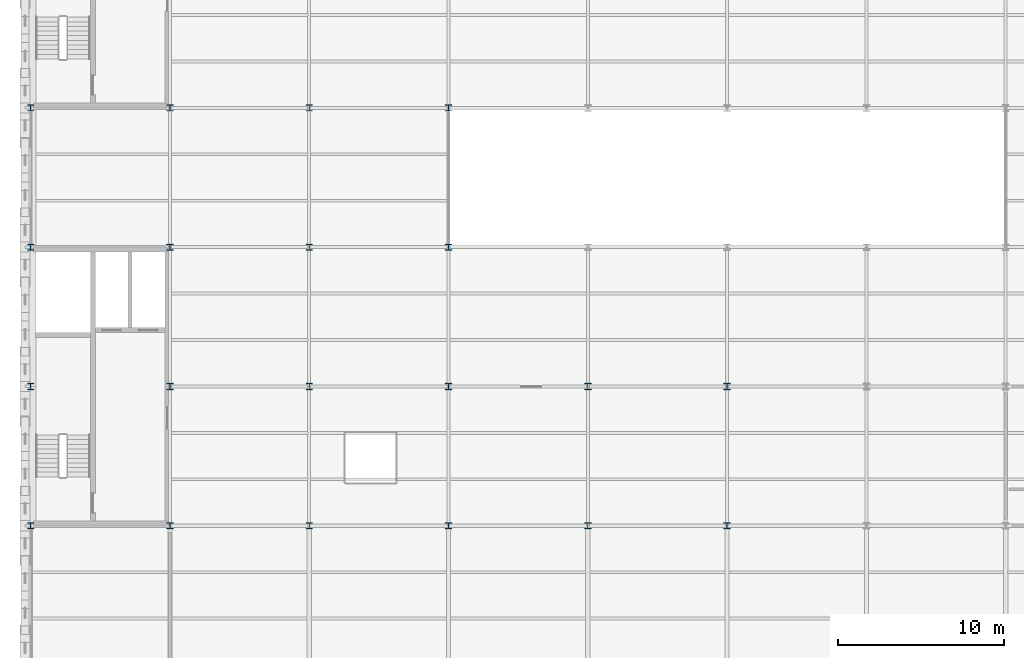
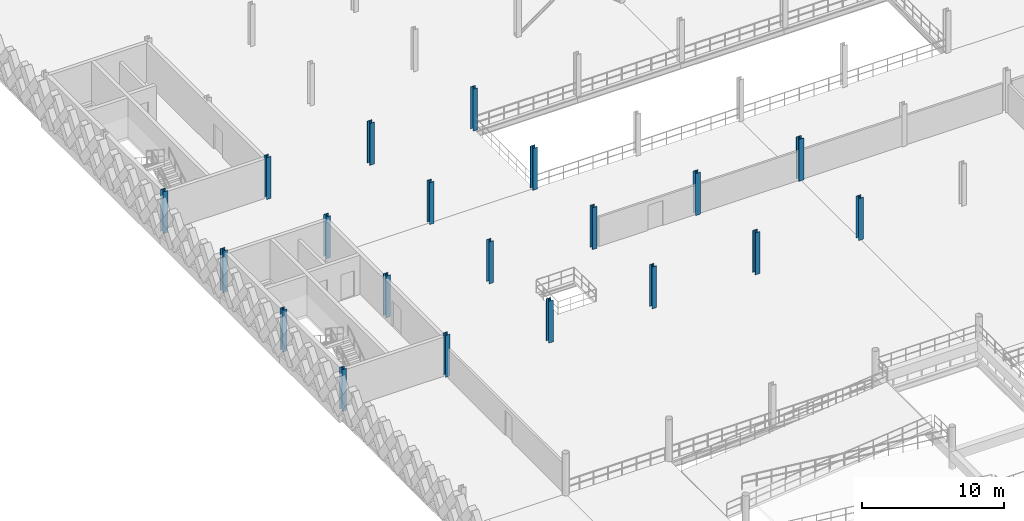
# One storey, part 3 of 101: 20 columns.
"""IFC4 building model written with IfcOpenShell, lengths in metres."""

from ifc_helpers import new_model, si_unit, direction, frame, origin, origin_2d, place, context, subcontext, project, spatial, i_section, extrude, material, material_profile, profile_set, type_object, element, save


model = new_model("IFC4")

# Units and contexts
model_context = context("Model", 3, precision=1e-05, world=origin(), true_north=direction((0.0, 1.0)))
body_context = subcontext(model_context, "Body", "Model", "MODEL_VIEW")
ifc_project = project(units=[si_unit("LENGTHUNIT", "METRE"), si_unit("AREAUNIT", "SQUARE_METRE"), si_unit("VOLUMEUNIT", "CUBIC_METRE"), si_unit("PLANEANGLEUNIT", "RADIAN"), si_unit("MASSUNIT", "GRAM", prefix="KILO"), si_unit("THERMODYNAMICTEMPERATUREUNIT", "KELVIN"), si_unit("POWERUNIT", "WATT")], contexts=[model_context])

# Site, building, storey
site_placement = place(None, origin())
site = spatial("IfcSite", under=ifc_project, at=site_placement, CompositionType="ELEMENT")
building_placement = place(site_placement, origin())
building = spatial("IfcBuilding", under=site, at=building_placement, Name="Tembeka Court Mobility Hub", CompositionType="ELEMENT")
storey_placement = place(building_placement, frame((0.0, 0.0, 5.39990234375)))
storey = spatial("IfcBuildingStorey", under=building, at=storey_placement, Name="L01", CompositionType="ELEMENT", Elevation=5.39990234375)

# Columns
ifc_material = material(Name="Steel S355", Category="steel")
ifc_material_profile_1 = material_profile(ifc_material, i_section(OverallWidth=0.39501953125, OverallDepth=0.381103515625, WebThickness=0.018310546875, FlangeThickness=0.0302734375, FilletRadius=0.01513671875, at=origin_2d()), Name="UKC 356x406x235")
ifc_profile_set_1 = profile_set([ifc_material_profile_1], Name="Steel S355")
column_type_1 = type_object("IfcColumnType", Name="COL-C02", PredefinedType="COLUMN", material=ifc_profile_set_1)
for number, where, z_axis, x_axis, name in (
    (1, (33.60009765625, 38.39990234375, 0.0), (0.0, 0.0, 1.0), (1.0, 0.0, 0.0), "Column C02 (L01-050)"),
    (2, (33.60009765625, 46.800048828125, 0.0), (0.0, 0.0, 1.0), (1.0, 0.0, 0.0), "Column C02 (L01-051)"),
    (3, (42.0, 38.39990234375, 0.0), (0.0, 0.0, 1.0), (1.0, 0.0, 0.0), "Column C02 (L01-062)"),
    (4, (42.0, 46.800048828125, 0.0), (0.0, 0.0, 1.0), (1.0, 0.0, 0.0), "Column C02 (L01-063)"),
):
    element("IfcColumn", number, at=place(storey_placement, frame(where, z_axis=z_axis, x_axis=x_axis)), inside=storey, type_object=column_type_1, Name=name, PredefinedType="COLUMN", context=body_context, shape_type="SweptSolid", body=[
        extrude(i_section(OverallWidth=0.39501953125, OverallDepth=0.381103515625, WebThickness=0.018310546875, FlangeThickness=0.0302734375, FilletRadius=0.01513671875, at=origin_2d()), origin(), (0.0, 0.0, 1.0), 3.60009765625),
    ])
ifc_material_profile_2 = material_profile(ifc_material, i_section(OverallWidth=0.373046875, OverallDepth=0.367919921875, WebThickness=0.014404296875, FlangeThickness=0.023681640625, FilletRadius=0.01513671875, at=origin_2d()), Name="UKC 356x368x177")
ifc_profile_set_2 = profile_set([ifc_material_profile_2], Name="Steel S355")
column_type_2 = type_object("IfcColumnType", Name="COL-C03", PredefinedType="COLUMN", material=ifc_profile_set_2)
for number, where, z_axis, x_axis, name in (
    (5, (0.0, 38.39990234375, 0.0), (0.0, 0.0, 1.0), (1.0, 0.0, 0.0), "Column C03 (L01-004)"),
    (6, (0.0, 46.800048828125, 0.0), (0.0, 0.0, 1.0), (1.0, 0.0, 0.0), "Column C03 (L01-005)"),
    (7, (0.0, 55.199951171875, 0.0), (0.0, 0.0, 1.0), (1.0, 0.0, 0.0), "Column C03 (L01-006)"),
    (8, (0.0, 63.60009765625, 0.0), (0.0, 0.0, 1.0), (1.0, 0.0, 0.0), "Column C03 (L01-007)"),
    (9, (8.39990234375, 38.39990234375, 0.0), (0.0, 0.0, 1.0), (1.0, 0.0, 0.0), "Column C03 (L01-016)"),
    (10, (8.39990234375, 46.800048828125, 0.0), (0.0, 0.0, 1.0), (1.0, 0.0, 0.0), "Column C03 (L01-017)"),
    (11, (8.39990234375, 55.199951171875, 0.0), (0.0, 0.0, 1.0), (1.0, 0.0, 0.0), "Column C03 (L01-018)"),
    (12, (8.39990234375, 63.60009765625, 0.0), (0.0, 0.0, 1.0), (1.0, 0.0, 0.0), "Column C03 (L01-019)"),
    (13, (16.800048828125, 38.39990234375, 0.0), (0.0, 0.0, 1.0), (1.0, 0.0, 0.0), "Column C03 (L01-028)"),
    (14, (16.800048828125, 46.800048828125, 0.0), (0.0, 0.0, 1.0), (1.0, 0.0, 0.0), "Column C03 (L01-029)"),
    (15, (16.800048828125, 55.199951171875, 0.0), (0.0, 0.0, 1.0), (1.0, 0.0, 0.0), "Column C03 (L01-030)"),
    (16, (16.800048828125, 63.60009765625, 0.0), (0.0, 0.0, 1.0), (1.0, 0.0, 0.0), "Column C03 (L01-031)"),
    (17, (25.199951171875, 38.39990234375, 0.0), (0.0, 0.0, 1.0), (1.0, 0.0, 0.0), "Column C03 (L01-039)"),
    (18, (25.199951171875, 46.800048828125, 0.0), (0.0, 0.0, 1.0), (1.0, 0.0, 0.0), "Column C03 (L01-040)"),
    (19, (25.199951171875, 55.199951171875, 0.0), (0.0, 0.0, 1.0), (1.0, 0.0, 0.0), "Column C03 (L01-041)"),
    (20, (25.199951171875, 63.60009765625, 0.0), (0.0, 0.0, 1.0), (1.0, 0.0, 0.0), "Column C03 (L01-042)"),
):
    element("IfcColumn", number, at=place(storey_placement, frame(where, z_axis=z_axis, x_axis=x_axis)), inside=storey, type_object=column_type_2, Name=name, PredefinedType="COLUMN", context=body_context, shape_type="SweptSolid", body=[
        extrude(i_section(OverallWidth=0.373046875, OverallDepth=0.367919921875, WebThickness=0.014404296875, FlangeThickness=0.023681640625, FilletRadius=0.01513671875, at=origin_2d()), origin(), (0.0, 0.0, 1.0), 3.60009765625),
    ])

save(model, "model.ifc")
